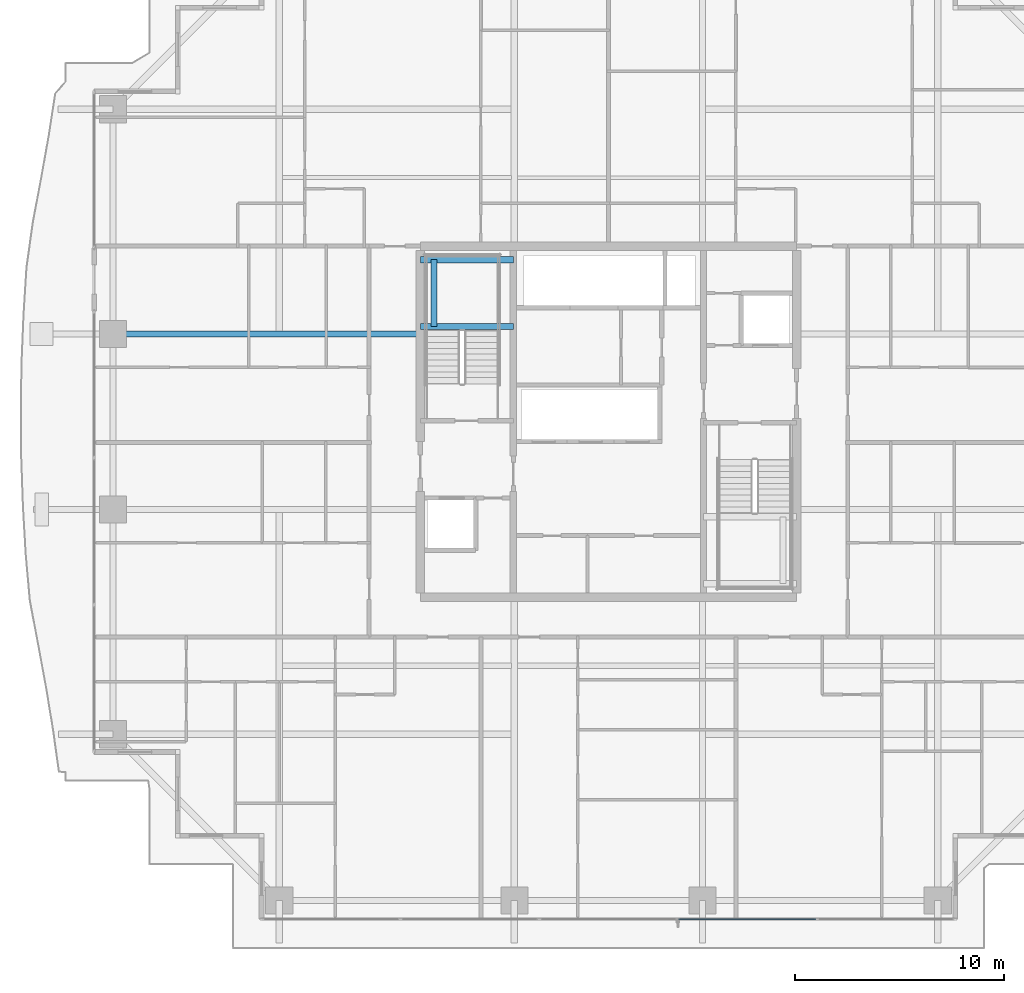
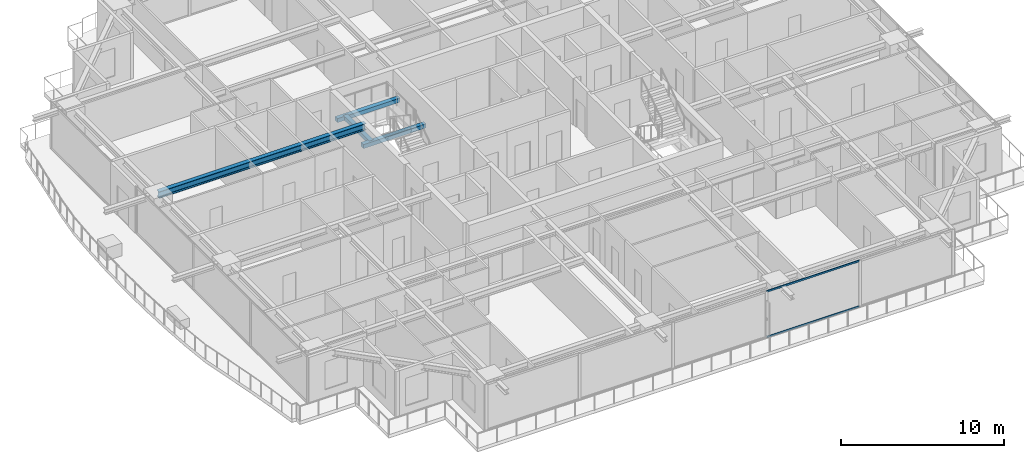
# One storey, part 10 of 39: 4 beams, 2 members, 1 element without a shape of its own.
"""IFC4 building model written with IfcOpenShell, lengths in metres."""

from ifc_helpers import new_model, si_unit, direction, frame, origin, origin_2d, place, context, subcontext, project, spatial, rectangle, hollow_rectangle, i_section, extrude, source, transform, mapped, material, layer, layer_set, material_profile, profile_set, type_object, element, aggregate, save


model = new_model("IFC4")

# Units and contexts
model_context = context("Model", 3, precision=1e-05, world=origin(), true_north=direction((0.0, 1.0)))
body_context = subcontext(model_context, "Body", "Model", "MODEL_VIEW")
ifc_project = project(units=[si_unit("LENGTHUNIT", "METRE"), si_unit("AREAUNIT", "SQUARE_METRE"), si_unit("VOLUMEUNIT", "CUBIC_METRE"), si_unit("PLANEANGLEUNIT", "RADIAN"), si_unit("MASSUNIT", "GRAM", prefix="KILO")], contexts=[model_context])

# Site, building, storey
site_placement = place(None, origin())
site = spatial("IfcSite", under=ifc_project, at=site_placement, CompositionType="ELEMENT")
building_placement = place(site_placement, origin())
building = spatial("IfcBuilding", under=site, at=building_placement, Name="Serunith Strait Residences", CompositionType="ELEMENT")
storey_placement = place(building_placement, frame((0.0, 0.0, 123.89990234375)))
storey = spatial("IfcBuildingStorey", under=building, at=storey_placement, Name="L30", CompositionType="ELEMENT", Elevation=123.89990234375)

# Beams
ifc_material_1 = material(Name="Steel S355J2", Category="steel")
ifc_material_profile_1 = material_profile(ifc_material_1, i_section(OverallWidth=0.300048828125, OverallDepth=0.5, WebThickness=0.014404296875, FlangeThickness=0.028076171875, FilletRadius=0.027099609375, at=origin_2d()), Name="HEB 500")
ifc_profile_set_1 = profile_set([ifc_material_profile_1], Name="Steel S355J2")
beam_type_1 = type_object("IfcBeamType", Name="BM-HEB500", PredefinedType="BEAM", material=ifc_profile_set_1)
shared_shape_1 = source(origin(), body_context, "Body", "SweptSolid", [
    extrude(i_section(OverallWidth=0.300048828125, OverallDepth=0.5, WebThickness=0.014404296875, FlangeThickness=0.028076171875, FilletRadius=0.027099609375, at=origin_2d()), origin(), (0.0, 0.0, 1.0), 14.699951171875),
])
beam_1_placement = place(storey_placement, frame((23.39990234375, 29.39990234375, 3.237060546875), z_axis=(-1.0, 0.0, 0.0), x_axis=(0.0, -1.0, 0.0)))
element("IfcBeam", 1, at=beam_1_placement, inside=storey, type_object=beam_type_1, Name="L30 Primary Floor Girder TC-W3", PredefinedType="BEAM", context=body_context, shape_type="MappedRepresentation", body=[
    mapped(shared_shape_1, transform((0.0, 0.0, 0.0), scale=1.0)),
])
ifc_material_2 = material(Name="Concrete C60/75", Category="concrete")
ifc_material_profile_2 = material_profile(ifc_material_2, rectangle(XDim=0.300048828125, YDim=0.300048828125, at=origin_2d()), Name="RC 300x300")
ifc_profile_set_2 = profile_set([ifc_material_profile_2], Name="Concrete C60/75")
beam_type_2 = type_object("IfcBeamType", Name="BM-LAND-300x300", PredefinedType="BEAM", material=ifc_profile_set_2)
shared_shape_2 = source(origin(), body_context, "Body", "SweptSolid", [
    extrude(rectangle(XDim=0.300048828125, YDim=0.300048828125, at=origin_2d()), origin(), (0.0, 0.0, 1.0), 4.4501953125),
])
for number, where, z_axis, x_axis, name in (
    (2, (23.39990234375, 29.75, 1.525146484375), (1.0, 0.0, 0.0), (0.0, 1.0, 0.0), "L30 ST-1 Landing Support Beam 1"),
    (3, (23.39990234375, 32.949951171875, 1.525146484375), (1.0, 0.0, 0.0), (0.0, 1.0, 0.0), "L30 ST-1 Landing Support Beam 2"),
):
    element("IfcBeam", number, at=place(storey_placement, frame(where, z_axis=z_axis, x_axis=x_axis)), inside=storey, type_object=beam_type_2, Name=name, PredefinedType="BEAM", context=body_context, shape_type="MappedRepresentation", body=[
        mapped(shared_shape_2, transform((0.0, 0.0, 0.0), scale=1.0)),
    ])
shared_shape_3 = source(origin(), body_context, "Body", "SweptSolid", [
    extrude(rectangle(XDim=0.300048828125, YDim=0.300048828125, at=origin_2d()), origin(), (0.0, 0.0, 1.0), 3.199951171875),
])
beam_2_placement = place(storey_placement, frame((24.050048828125, 29.75, 1.525146484375), z_axis=(0.0, 1.0, 0.0), x_axis=(-1.0, 0.0, 0.0)))
element("IfcBeam", 4, at=beam_2_placement, inside=storey, type_object=beam_type_2, Name="L30 ST-1 Landing Transverse Tie Beam", PredefinedType="BEAM", context=body_context, shape_type="MappedRepresentation", body=[
    mapped(shared_shape_3, transform((0.0, 0.0, 0.0), scale=1.0)),
])

# Curtain wall, members
ifc_material_3 = material(Name="Pale-Champagne Anodised Aluminium", Category="aluminium")
ifc_layer = layer(ifc_material_3, 0.199951171875, Name="Pale-Champagne Anodised Aluminium")
ifc_layer_set = layer_set([ifc_layer], Name="Pale-Champagne Anodised Aluminium")
curtain_wall_type = type_object("IfcCurtainWallType", Name="CW-SYS2", PredefinedType="NOTDEFINED", material=ifc_layer_set)
curtain_wall_placement = place(storey_placement, origin())
curtain_wall = element("IfcCurtainWall", 5, at=curtain_wall_placement, inside=storey, type_object=curtain_wall_type, Name="L30 S Unitised Fritted Curtain Wall", PredefinedType="NOTDEFINED")
ifc_material_profile_3 = material_profile(ifc_material_3, hollow_rectangle(XDim=0.06005859375, YDim=0.139892578125, WallThickness=0.00341796875, InnerFilletRadius=0.00537109375, OuterFilletRadius=0.0087890625, at=origin_2d()), Name="ALU 140x60x3.5")
ifc_profile_set_3 = profile_set([ifc_material_profile_3], Name="Pale-Champagne Anodised Aluminium")
member_type = type_object("IfcMemberType", Name="CW-SYS2-TRAN", PredefinedType="USERDEFINED", material=ifc_profile_set_3)
shared_shape_4 = source(origin(), body_context, "Body", "SweptSolid", [
    extrude(hollow_rectangle(XDim=0.06005859375, YDim=0.139892578125, WallThickness=0.00341796875, InnerFilletRadius=0.00537109375, OuterFilletRadius=0.0087890625, at=origin_2d()), origin(), (0.0, 0.0, 1.0), 6.570068359375),
])
member_1_placement = place(storey_placement, frame((35.7548828125, 1.39990234375, 0.030029296875), z_axis=(1.0, 0.0, 0.0), x_axis=(0.0, 1.0, 0.0)))
member_1 = element("IfcMember", 6, at=member_1_placement, type_object=member_type, Name="CW-2 transom 4.1", ObjectType="TRANSOM", PredefinedType="USERDEFINED", context=body_context, shape_type="MappedRepresentation", body=[
    mapped(shared_shape_4, transform((0.0, 0.0, 0.0), scale=1.0)),
])
member_2_placement = place(storey_placement, frame((35.7548828125, 1.39990234375, 3.445068359375), z_axis=(1.0, 0.0, 0.0), x_axis=(0.0, 1.0, 0.0)))
member_2 = element("IfcMember", 7, at=member_2_placement, type_object=member_type, Name="CW-2 transom 4.2", ObjectType="TRANSOM", PredefinedType="USERDEFINED", context=body_context, shape_type="MappedRepresentation", body=[
    mapped(shared_shape_4, transform((0.0, 0.0, 0.0), scale=1.0)),
])
aggregate(curtain_wall, [member_1, member_2])

save(model, "model.ifc")
